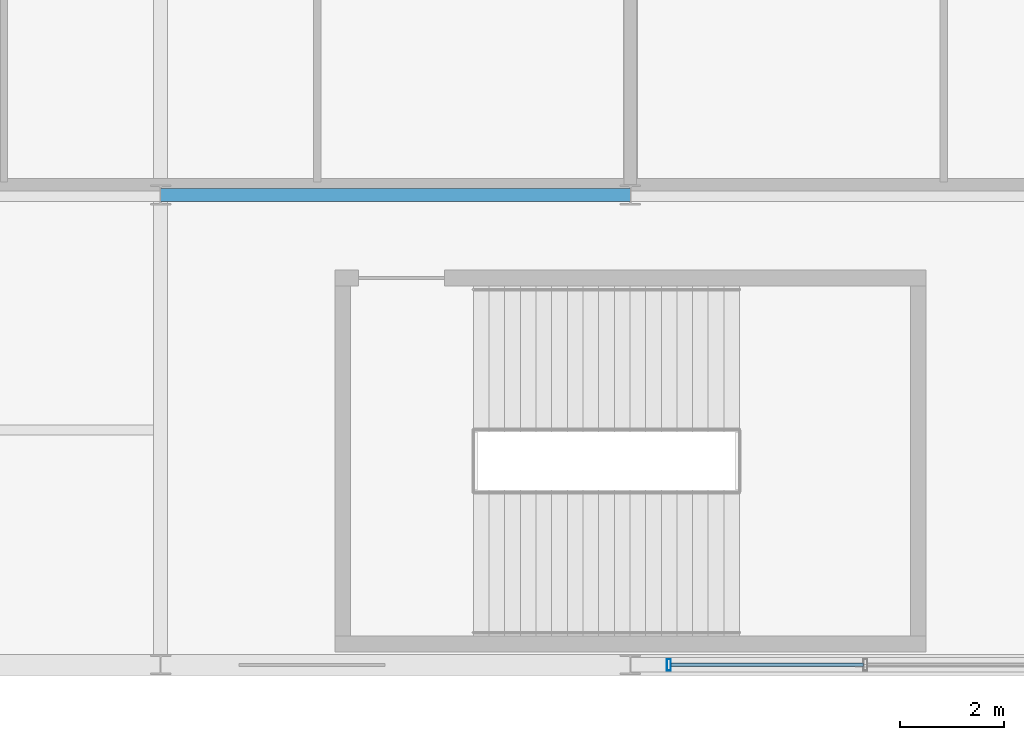
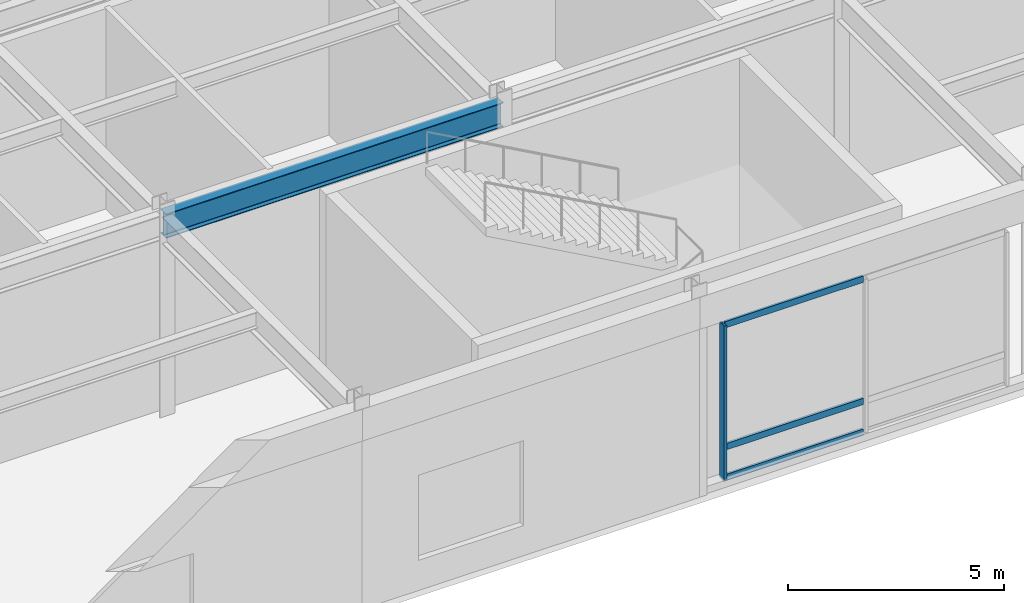
# One storey, part 49 of 108: 4 members, 1 beam, 1 element without a shape of its own.
"""IFC4 building model written with IfcOpenShell, lengths in metres."""

import ifcopenshell
import ifcopenshell.guid

model = None  # the IFC model being written
_history = None  # IfcOwnerHistory: only IFC2X3 demands one
_inside = {}  # id of a spatial element -> (the spatial element, [elements in it])
_under = {}  # id of a project, library or spatial element -> (it, [spatial elements below it])
_declared = {}  # id of a project -> (the project, [libraries it declares])
_typed = {}  # id of a type object -> (the type object, [elements of that type])
_made_of = {}  # id of a material, layer set ... -> (it, [elements and type objects made of it])


def new_model(schema):
    """Start an empty IFC model of exactly this schema.

    Asked for "IFC4X3", IfcOpenShell would pick the latest addendum, in which some entities
    have other attributes; the version numbers below select the first issue.
    IFC2X3 requires an IfcOwnerHistory on every rooted entity: one is made here for all.
    """
    global model, _history
    if schema == "IFC4X3":
        model = ifcopenshell.file(schema_version=(4, 3, 0, 0))
    else:
        model = ifcopenshell.file(schema=schema)
    _inside.clear()
    _under.clear()
    _declared.clear()
    _typed.clear()
    _made_of.clear()
    _history = None
    if model.schema == "IFC2X3":
        org = make("IfcOrganization", Name="unknown")
        user = make(
            "IfcPersonAndOrganization",
            ThePerson=make("IfcPerson", FamilyName="unknown"),
            TheOrganization=org,
        )
        app = make(
            "IfcApplication",
            ApplicationDeveloper=org,
            Version="unknown",
            ApplicationFullName="unknown",
            ApplicationIdentifier="unknown",
        )
        _history = make(
            "IfcOwnerHistory",
            OwningUser=user,
            OwningApplication=app,
            ChangeAction="ADDED",
            CreationDate=0,
        )
    return model


def make(cls, **values):
    """One entity of the class cls with the attributes given. An attribute that is None is left unset."""
    return model.create_entity(
        cls, **{name: value for name, value in values.items() if value is not None}
    )


def rooted(cls, **values):
    """An entity with a GlobalId (a new one), such as an element, a storey or a relation."""
    return make(cls, GlobalId=ifcopenshell.guid.new(), OwnerHistory=_history, **values)


def si_unit(unit_type, name, prefix=None):
    """IfcSIUnit, for example si_unit("LENGTHUNIT", "METRE", prefix="MILLI")."""
    return make("IfcSIUnit", UnitType=unit_type, Prefix=prefix, Name=name)


def assignment(units):
    """IfcUnitAssignment: the units of a project."""
    return None if units is None else make("IfcUnitAssignment", Units=units)


def point(xyz):
    """IfcCartesianPoint."""
    return None if xyz is None else make("IfcCartesianPoint", Coordinates=xyz)


def direction(xyz):
    """IfcDirection."""
    return None if xyz is None else make("IfcDirection", DirectionRatios=xyz)


def frame(location, z_axis=None, x_axis=None):
    """IfcAxis2Placement3D, a coordinate frame: its origin and axes. An axis left out is left unset."""
    return make(
        "IfcAxis2Placement3D",
        Location=point(location),
        Axis=direction(z_axis),
        RefDirection=direction(x_axis),
    )


def frame_2d(location, x_axis=None):
    """IfcAxis2Placement2D, a coordinate frame in the plane: its origin and x axis."""
    return make(
        "IfcAxis2Placement2D", Location=point(location), RefDirection=direction(x_axis)
    )


def origin():
    """The frame at (0, 0, 0) with its axes left unset."""
    return frame((0.0, 0.0, 0.0))


def origin_2d():
    """The frame at (0, 0) in the plane with its x axis left unset."""
    return frame_2d((0.0, 0.0))


def place(relative_to, where):
    """IfcLocalPlacement: puts the frame where relative to a parent placement (None: the world)."""
    return make(
        "IfcLocalPlacement", PlacementRelTo=relative_to, RelativePlacement=where
    )


def context(
    kind, dimensions, precision=None, world=None, true_north=None, identifier=None
):
    """IfcGeometricRepresentationContext, for example the 3D "Model" context."""
    return make(
        "IfcGeometricRepresentationContext",
        ContextIdentifier=identifier,
        ContextType=kind,
        CoordinateSpaceDimension=dimensions,
        Precision=precision,
        WorldCoordinateSystem=world,
        TrueNorth=true_north,
    )


def subcontext(parent, identifier, kind, view, scale=None):
    """IfcGeometricRepresentationSubContext, for example "Body" below "Model"."""
    return make(
        "IfcGeometricRepresentationSubContext",
        ContextIdentifier=identifier,
        ContextType=kind,
        ParentContext=parent,
        TargetScale=scale,
        TargetView=view,
    )


def project(units=None, contexts=None):
    """IfcProject with its units and contexts."""
    return rooted(
        "IfcProject",
        Name="project",
        RepresentationContexts=contexts,
        UnitsInContext=assignment(units),
    )


def spatial(cls, under=None, at=None, **own):
    """A site, building, storey or space (cls), placed at a placement, below another one or the project."""
    s = rooted(cls, ObjectPlacement=at, **own)
    if under is not None:
        _under.setdefault(under.id(), (under, []))[1].append(s)
    return s


def profile(cls, at=None, kind="AREA", **sizes):
    """A parametric profile (cls). Its sizes go by their IFC names, for example OverallWidth=200.0."""
    return make(cls, ProfileType=kind, Position=at, **sizes)


def hollow_rectangle(**sizes):
    """IfcRectangleHollowProfileDef."""
    return profile("IfcRectangleHollowProfileDef", **sizes)


def i_section(**sizes):
    """IfcIShapeProfileDef."""
    return profile("IfcIShapeProfileDef", **sizes)


def extrude(swept, where, along, depth):
    """IfcExtrudedAreaSolid: the profile swept, set in the frame where, extruded along a direction by depth."""
    return make(
        "IfcExtrudedAreaSolid",
        SweptArea=swept,
        Position=where,
        ExtrudedDirection=direction(along),
        Depth=depth,
    )


def shape(context_of_items, identifier, shape_type, items):
    """IfcShapeRepresentation: the items that make up one representation, for example the "Body"."""
    return make(
        "IfcShapeRepresentation",
        ContextOfItems=context_of_items,
        RepresentationIdentifier=identifier,
        RepresentationType=shape_type,
        Items=items,
    )


def material(Name=None, Category=None):
    """IfcMaterial."""
    return make("IfcMaterial", Name=Name, Category=Category)


def material_profile(
    of_material, cross_section, Name=None, Category=None, Priority=None
):
    """IfcMaterialProfile: a cross section and its material."""
    return make(
        "IfcMaterialProfile",
        Name=Name,
        Material=of_material,
        Profile=cross_section,
        Priority=Priority,
        Category=Category,
    )


def profile_set(profiles, Name=None, composite=None):
    """IfcMaterialProfileSet."""
    return make(
        "IfcMaterialProfileSet",
        Name=Name,
        MaterialProfiles=profiles,
        CompositeProfile=composite,
    )


def made_of(thing, what):
    """Note that an element or type object is made of a material, layer set ...; save() writes the relation."""
    if what is not None:
        _made_of.setdefault(what.id(), (what, []))[1].append(thing)
    return thing


def type_object(cls, material=None, **own):
    """A type object (cls), such as IfcWallType, which elements share."""
    return made_of(rooted(cls, **own), material)


def element(
    cls,
    number,
    at=None,
    inside=None,
    cuts=None,
    type_object=None,
    material=None,
    context=None,
    identifier="Body",
    shape_type=None,
    held_by="IfcProductDefinitionShape",
    body=None,
    shapes=None,
    **own,
):
    """One element of the class cls, such as IfcWall. Its Tag is "e" and its number.

    at: its placement. inside: the storey or other place that contains it. cuts: it is an
    opening in that element (IfcRelVoidsElement). A single representation is given by context,
    identifier, shape_type and body (its items); several are given by shapes. held_by: the class
    of the entity that holds the representations. save() writes the other relations.
    """
    e = rooted(cls, Tag="e%d" % number, ObjectPlacement=at, **own)
    if body is not None:
        shapes = [shape(context, identifier, shape_type, body)]
    if shapes is not None:
        e.Representation = make(held_by, Representations=shapes)
    if inside is not None:
        _inside.setdefault(inside.id(), (inside, []))[1].append(e)
    if cuts is not None:
        rooted(
            "IfcRelVoidsElement", RelatingBuildingElement=cuts, RelatedOpeningElement=e
        )
    if type_object is not None:
        _typed.setdefault(type_object.id(), (type_object, []))[1].append(e)
    return made_of(e, material)


def aggregate(whole, parts):
    """IfcRelAggregates: a whole, such as a stair, and the parts it consists of."""
    return rooted("IfcRelAggregates", RelatingObject=whole, RelatedObjects=parts)


def save(model, path):
    """Write the relations noted so far, then the file.

    IfcRelAggregates (storeys below a building ...), IfcRelContainedInSpatialStructure (elements
    in a storey), IfcRelDefinesByType, IfcRelAssociatesMaterial and IfcRelDeclares: one each for
    every whole, place, type object, material and project.
    """
    for whole, parts in _under.values():
        aggregate(whole, parts)
    for where, things in _inside.values():
        rooted(
            "IfcRelContainedInSpatialStructure",
            RelatedElements=things,
            RelatingStructure=where,
        )
    for kind, things in _typed.values():
        rooted("IfcRelDefinesByType", RelatedObjects=things, RelatingType=kind)
    for what, things in _made_of.values():
        rooted("IfcRelAssociatesMaterial", RelatedObjects=things, RelatingMaterial=what)
    for by, libraries in _declared.values():
        rooted("IfcRelDeclares", RelatingContext=by, RelatedDefinitions=libraries)
    model.write(path)


model = new_model("IFC4")

# Units and contexts
model_context = context("Model", 3, precision=1e-05, world=origin(), true_north=direction((0.0, 1.0)))
body_context = subcontext(model_context, "Body", "Model", "MODEL_VIEW")
ifc_project = project(units=[si_unit("LENGTHUNIT", "METRE"), si_unit("AREAUNIT", "SQUARE_METRE"), si_unit("VOLUMEUNIT", "CUBIC_METRE"), si_unit("PLANEANGLEUNIT", "RADIAN"), si_unit("MASSUNIT", "GRAM", prefix="KILO")], contexts=[model_context])

# Site, building, storey
site_placement = place(None, origin())
site = spatial("IfcSite", under=ifc_project, at=site_placement, CompositionType="ELEMENT")
building_placement = place(site_placement, origin())
building = spatial("IfcBuilding", under=site, at=building_placement, Name="Kaldorvane Square Convention Centre", CompositionType="ELEMENT")
storey_placement = place(building_placement, frame((0.0, 0.0, 12.0)))
storey = spatial("IfcBuildingStorey", under=building, at=storey_placement, Name="L02", CompositionType="ELEMENT", Elevation=12.0)

# Beam
ifc_material_1 = material(Name="Steel ASTM A992 Gr. 50", Category="steel")
ifc_material_profile_1 = material_profile(ifc_material_1, i_section(OverallWidth=0.25439453125, OverallDepth=0.6880950927734375, WebThickness=0.0131072998046875, FlangeThickness=0.0211029052734375, FilletRadius=0.01519775390625, at=origin_2d()), Name="W27X102")
ifc_profile_set_1 = profile_set([ifc_material_profile_1], Name="Steel ASTM A992 Gr. 50")
beam_type = type_object("IfcBeamType", Name="BM-GR-W27X102", PredefinedType="BEAM", material=ifc_profile_set_1)
beam_placement = place(storey_placement, frame((147.0, 9.0, 5.3018951416015625), z_axis=(1.0, 0.0, 0.0), x_axis=(0.0, 1.0, 0.0)))
element("IfcBeam", 1, at=beam_placement, inside=storey, type_object=beam_type, Name="Primary Girder (L02)", PredefinedType="BEAM", context=body_context, shape_type="SweptSolid", body=[
    extrude(i_section(OverallWidth=0.25439453125, OverallDepth=0.6880950927734375, WebThickness=0.0131072998046875, FlangeThickness=0.0211029052734375, FilletRadius=0.01519775390625, at=origin_2d()), origin(), (0.0, 0.0, 1.0), 9.0),
])

# Curtain wall, members
ifc_material_2 = material(Name="Anodized Aluminum and Low-E Insulated Glazing", Category="aluminium")
curtain_wall_type = type_object("IfcCurtainWallType", Name="CW-UNI-P60-12", PredefinedType="USERDEFINED", material=ifc_material_2)
curtain_wall_placement = place(storey_placement, origin())
curtain_wall = element("IfcCurtainWall", 2, at=curtain_wall_placement, inside=storey, type_object=curtain_wall_type, Name="Curtain Wall CW-01 (L02)", ObjectType="UNITISED GLAZING", PredefinedType="USERDEFINED")
ifc_material_profile_2 = material_profile(ifc_material_2, hollow_rectangle(XDim=0.0749969482421875, YDim=0.220001220703125, WallThickness=0.003997802734375, at=origin_2d()), Name="CWM-220X75")
ifc_profile_set_2 = profile_set([ifc_material_profile_2], Name="Anodized Aluminum and Low-E Insulated Glazing")
member_type_1 = type_object("IfcMemberType", Name="CW-MUL-220", PredefinedType="MULLION", material=ifc_profile_set_2)
member_1_placement = place(storey_placement, frame((156.7375030517578, 0.0, 0.149993896484375), z_axis=(0.0, 0.0, 1.0), x_axis=(1.0, 0.0, 0.0)))
member_1 = element("IfcMember", 3, at=member_1_placement, type_object=member_type_1, Name="CW-01 mullion 1", PredefinedType="MULLION", context=body_context, shape_type="SweptSolid", body=[
    extrude(hollow_rectangle(XDim=0.0749969482421875, YDim=0.220001220703125, WallThickness=0.003997802734375, at=origin_2d()), origin(), (0.0, 0.0, 1.0), 4.3800048828125),
])
ifc_material_profile_3 = material_profile(ifc_material_2, hollow_rectangle(XDim=0.06500244140625, YDim=0.17999267578125, WallThickness=0.0034942626953125, at=origin_2d()), Name="CWT-180X65")
ifc_profile_set_3 = profile_set([ifc_material_profile_3], Name="Anodized Aluminum and Low-E Insulated Glazing")
member_type_2 = type_object("IfcMemberType", Name="CW-TRN-180", PredefinedType="USERDEFINED", material=ifc_profile_set_3)
member_2_placement = place(storey_placement, frame((156.77499389648438, 0.0, 0.1824951171875), z_axis=(1.0, 0.0, 0.0), x_axis=(0.0, 1.0, 0.0)))
member_2 = element("IfcMember", 4, at=member_2_placement, type_object=member_type_2, Name="CW-01 transom 1.1", ObjectType="TRANSOM", PredefinedType="USERDEFINED", context=body_context, shape_type="SweptSolid", body=[
    extrude(hollow_rectangle(XDim=0.06500244140625, YDim=0.17999267578125, WallThickness=0.0034942626953125, at=origin_2d()), origin(), (0.0, 0.0, 1.0), 3.6875),
])
member_3_placement = place(storey_placement, frame((156.77499389648438, 0.0, 1.0500030517578125), z_axis=(1.0, 0.0, 0.0), x_axis=(0.0, 1.0, 0.0)))
member_3 = element("IfcMember", 5, at=member_3_placement, type_object=member_type_2, Name="CW-01 transom 1.2", ObjectType="TRANSOM", PredefinedType="USERDEFINED", context=body_context, shape_type="SweptSolid", body=[
    extrude(hollow_rectangle(XDim=0.06500244140625, YDim=0.17999267578125, WallThickness=0.0034942626953125, at=origin_2d()), origin(), (0.0, 0.0, 1.0), 3.6875),
])
member_4_placement = place(storey_placement, frame((156.77499389648438, 0.0, 4.49749755859375), z_axis=(1.0, 0.0, 0.0), x_axis=(0.0, 1.0, 0.0)))
member_4 = element("IfcMember", 6, at=member_4_placement, type_object=member_type_2, Name="CW-01 transom 1.3", ObjectType="TRANSOM", PredefinedType="USERDEFINED", context=body_context, shape_type="SweptSolid", body=[
    extrude(hollow_rectangle(XDim=0.06500244140625, YDim=0.17999267578125, WallThickness=0.0034942626953125, at=origin_2d()), origin(), (0.0, 0.0, 1.0), 3.6875),
])
aggregate(curtain_wall, [member_1, member_2, member_3, member_4])

save(model, "model.ifc")
